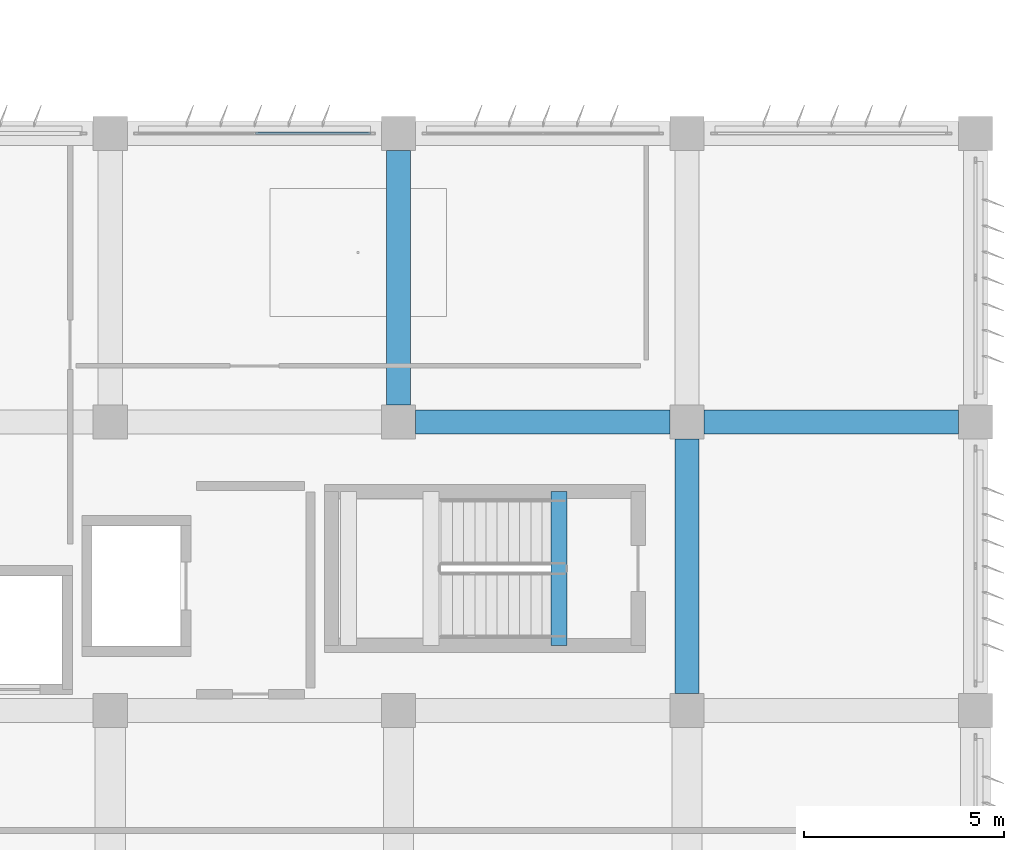
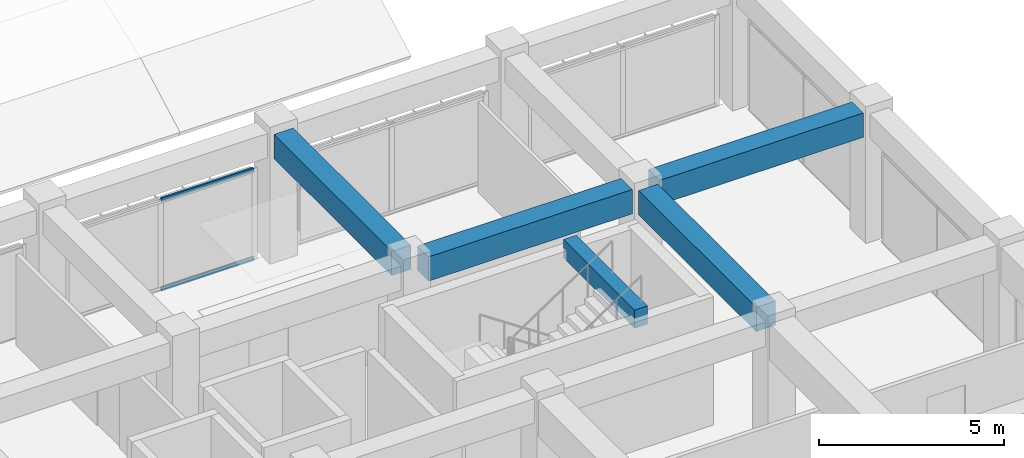
# One storey, part 24 of 56: 5 beams, 2 members, 1 element without a shape of its own.
"""IFC4 building model written with IfcOpenShell, lengths in metres."""

import ifcopenshell
import ifcopenshell.guid

model = None  # the IFC model being written
_history = None  # IfcOwnerHistory: only IFC2X3 demands one
_inside = {}  # id of a spatial element -> (the spatial element, [elements in it])
_under = {}  # id of a project, library or spatial element -> (it, [spatial elements below it])
_declared = {}  # id of a project -> (the project, [libraries it declares])
_typed = {}  # id of a type object -> (the type object, [elements of that type])
_made_of = {}  # id of a material, layer set ... -> (it, [elements and type objects made of it])


def new_model(schema):
    """Start an empty IFC model of exactly this schema.

    Asked for "IFC4X3", IfcOpenShell would pick the latest addendum, in which some entities
    have other attributes; the version numbers below select the first issue.
    IFC2X3 requires an IfcOwnerHistory on every rooted entity: one is made here for all.
    """
    global model, _history
    if schema == "IFC4X3":
        model = ifcopenshell.file(schema_version=(4, 3, 0, 0))
    else:
        model = ifcopenshell.file(schema=schema)
    _inside.clear()
    _under.clear()
    _declared.clear()
    _typed.clear()
    _made_of.clear()
    _history = None
    if model.schema == "IFC2X3":
        org = make("IfcOrganization", Name="unknown")
        user = make(
            "IfcPersonAndOrganization",
            ThePerson=make("IfcPerson", FamilyName="unknown"),
            TheOrganization=org,
        )
        app = make(
            "IfcApplication",
            ApplicationDeveloper=org,
            Version="unknown",
            ApplicationFullName="unknown",
            ApplicationIdentifier="unknown",
        )
        _history = make(
            "IfcOwnerHistory",
            OwningUser=user,
            OwningApplication=app,
            ChangeAction="ADDED",
            CreationDate=0,
        )
    return model


def make(cls, **values):
    """One entity of the class cls with the attributes given. An attribute that is None is left unset."""
    return model.create_entity(
        cls, **{name: value for name, value in values.items() if value is not None}
    )


def rooted(cls, **values):
    """An entity with a GlobalId (a new one), such as an element, a storey or a relation."""
    return make(cls, GlobalId=ifcopenshell.guid.new(), OwnerHistory=_history, **values)


def si_unit(unit_type, name, prefix=None):
    """IfcSIUnit, for example si_unit("LENGTHUNIT", "METRE", prefix="MILLI")."""
    return make("IfcSIUnit", UnitType=unit_type, Prefix=prefix, Name=name)


def assignment(units):
    """IfcUnitAssignment: the units of a project."""
    return None if units is None else make("IfcUnitAssignment", Units=units)


def point(xyz):
    """IfcCartesianPoint."""
    return None if xyz is None else make("IfcCartesianPoint", Coordinates=xyz)


def direction(xyz):
    """IfcDirection."""
    return None if xyz is None else make("IfcDirection", DirectionRatios=xyz)


def frame(location, z_axis=None, x_axis=None):
    """IfcAxis2Placement3D, a coordinate frame: its origin and axes. An axis left out is left unset."""
    return make(
        "IfcAxis2Placement3D",
        Location=point(location),
        Axis=direction(z_axis),
        RefDirection=direction(x_axis),
    )


def frame_2d(location, x_axis=None):
    """IfcAxis2Placement2D, a coordinate frame in the plane: its origin and x axis."""
    return make(
        "IfcAxis2Placement2D", Location=point(location), RefDirection=direction(x_axis)
    )


def origin():
    """The frame at (0, 0, 0) with its axes left unset."""
    return frame((0.0, 0.0, 0.0))


def origin_2d():
    """The frame at (0, 0) in the plane with its x axis left unset."""
    return frame_2d((0.0, 0.0))


def place(relative_to, where):
    """IfcLocalPlacement: puts the frame where relative to a parent placement (None: the world)."""
    return make(
        "IfcLocalPlacement", PlacementRelTo=relative_to, RelativePlacement=where
    )


def context(
    kind, dimensions, precision=None, world=None, true_north=None, identifier=None
):
    """IfcGeometricRepresentationContext, for example the 3D "Model" context."""
    return make(
        "IfcGeometricRepresentationContext",
        ContextIdentifier=identifier,
        ContextType=kind,
        CoordinateSpaceDimension=dimensions,
        Precision=precision,
        WorldCoordinateSystem=world,
        TrueNorth=true_north,
    )


def subcontext(parent, identifier, kind, view, scale=None):
    """IfcGeometricRepresentationSubContext, for example "Body" below "Model"."""
    return make(
        "IfcGeometricRepresentationSubContext",
        ContextIdentifier=identifier,
        ContextType=kind,
        ParentContext=parent,
        TargetScale=scale,
        TargetView=view,
    )


def project(units=None, contexts=None):
    """IfcProject with its units and contexts."""
    return rooted(
        "IfcProject",
        Name="project",
        RepresentationContexts=contexts,
        UnitsInContext=assignment(units),
    )


def spatial(cls, under=None, at=None, **own):
    """A site, building, storey or space (cls), placed at a placement, below another one or the project."""
    s = rooted(cls, ObjectPlacement=at, **own)
    if under is not None:
        _under.setdefault(under.id(), (under, []))[1].append(s)
    return s


def profile(cls, at=None, kind="AREA", **sizes):
    """A parametric profile (cls). Its sizes go by their IFC names, for example OverallWidth=200.0."""
    return make(cls, ProfileType=kind, Position=at, **sizes)


def rectangle(**sizes):
    """IfcRectangleProfileDef."""
    return profile("IfcRectangleProfileDef", **sizes)


def hollow_rectangle(**sizes):
    """IfcRectangleHollowProfileDef."""
    return profile("IfcRectangleHollowProfileDef", **sizes)


def extrude(swept, where, along, depth):
    """IfcExtrudedAreaSolid: the profile swept, set in the frame where, extruded along a direction by depth."""
    return make(
        "IfcExtrudedAreaSolid",
        SweptArea=swept,
        Position=where,
        ExtrudedDirection=direction(along),
        Depth=depth,
    )


def shape(context_of_items, identifier, shape_type, items):
    """IfcShapeRepresentation: the items that make up one representation, for example the "Body"."""
    return make(
        "IfcShapeRepresentation",
        ContextOfItems=context_of_items,
        RepresentationIdentifier=identifier,
        RepresentationType=shape_type,
        Items=items,
    )


def material(Name=None, Category=None):
    """IfcMaterial."""
    return make("IfcMaterial", Name=Name, Category=Category)


def material_profile(
    of_material, cross_section, Name=None, Category=None, Priority=None
):
    """IfcMaterialProfile: a cross section and its material."""
    return make(
        "IfcMaterialProfile",
        Name=Name,
        Material=of_material,
        Profile=cross_section,
        Priority=Priority,
        Category=Category,
    )


def profile_set(profiles, Name=None, composite=None):
    """IfcMaterialProfileSet."""
    return make(
        "IfcMaterialProfileSet",
        Name=Name,
        MaterialProfiles=profiles,
        CompositeProfile=composite,
    )


def made_of(thing, what):
    """Note that an element or type object is made of a material, layer set ...; save() writes the relation."""
    if what is not None:
        _made_of.setdefault(what.id(), (what, []))[1].append(thing)
    return thing


def type_object(cls, material=None, **own):
    """A type object (cls), such as IfcWallType, which elements share."""
    return made_of(rooted(cls, **own), material)


def element(
    cls,
    number,
    at=None,
    inside=None,
    cuts=None,
    type_object=None,
    material=None,
    context=None,
    identifier="Body",
    shape_type=None,
    held_by="IfcProductDefinitionShape",
    body=None,
    shapes=None,
    **own,
):
    """One element of the class cls, such as IfcWall. Its Tag is "e" and its number.

    at: its placement. inside: the storey or other place that contains it. cuts: it is an
    opening in that element (IfcRelVoidsElement). A single representation is given by context,
    identifier, shape_type and body (its items); several are given by shapes. held_by: the class
    of the entity that holds the representations. save() writes the other relations.
    """
    e = rooted(cls, Tag="e%d" % number, ObjectPlacement=at, **own)
    if body is not None:
        shapes = [shape(context, identifier, shape_type, body)]
    if shapes is not None:
        e.Representation = make(held_by, Representations=shapes)
    if inside is not None:
        _inside.setdefault(inside.id(), (inside, []))[1].append(e)
    if cuts is not None:
        rooted(
            "IfcRelVoidsElement", RelatingBuildingElement=cuts, RelatedOpeningElement=e
        )
    if type_object is not None:
        _typed.setdefault(type_object.id(), (type_object, []))[1].append(e)
    return made_of(e, material)


def aggregate(whole, parts):
    """IfcRelAggregates: a whole, such as a stair, and the parts it consists of."""
    return rooted("IfcRelAggregates", RelatingObject=whole, RelatedObjects=parts)


def save(model, path):
    """Write the relations noted so far, then the file.

    IfcRelAggregates (storeys below a building ...), IfcRelContainedInSpatialStructure (elements
    in a storey), IfcRelDefinesByType, IfcRelAssociatesMaterial and IfcRelDeclares: one each for
    every whole, place, type object, material and project.
    """
    for whole, parts in _under.values():
        aggregate(whole, parts)
    for where, things in _inside.values():
        rooted(
            "IfcRelContainedInSpatialStructure",
            RelatedElements=things,
            RelatingStructure=where,
        )
    for kind, things in _typed.values():
        rooted("IfcRelDefinesByType", RelatedObjects=things, RelatingType=kind)
    for what, things in _made_of.values():
        rooted("IfcRelAssociatesMaterial", RelatedObjects=things, RelatingMaterial=what)
    for by, libraries in _declared.values():
        rooted("IfcRelDeclares", RelatingContext=by, RelatedDefinitions=libraries)
    model.write(path)


model = new_model("IFC4")

# Units and contexts
model_context = context("Model", 3, precision=1e-05, world=origin(), true_north=direction((0.0, 1.0)))
body_context = subcontext(model_context, "Body", "Model", "MODEL_VIEW")
ifc_project = project(units=[si_unit("LENGTHUNIT", "METRE"), si_unit("AREAUNIT", "SQUARE_METRE"), si_unit("VOLUMEUNIT", "CUBIC_METRE"), si_unit("PLANEANGLEUNIT", "RADIAN"), si_unit("MASSUNIT", "GRAM", prefix="KILO")], contexts=[model_context])

# Site, building, storey
site_placement = place(None, origin())
site = spatial("IfcSite", under=ifc_project, at=site_placement, CompositionType="ELEMENT")
building_placement = place(site_placement, origin())
building = spatial("IfcBuilding", under=site, at=building_placement, Name="Kazehaya Institute of Natural Sciences", CompositionType="ELEMENT")
storey_placement = place(building_placement, frame((0.0, 0.0, 24.300048828125)))
storey = spatial("IfcBuildingStorey", under=building, at=storey_placement, Name="L05", CompositionType="ELEMENT", Elevation=24.300048828125)

# Beams
ifc_material_1 = material(Name="Concrete Fc36", Category="concrete")
ifc_material_profile_1 = material_profile(ifc_material_1, rectangle(XDim=0.39990234375, YDim=0.60009765625, at=origin_2d()), Name="RC-400x600")
ifc_profile_set_1 = profile_set([ifc_material_profile_1], Name="Concrete Fc36")
beam_type_1 = type_object("IfcBeamType", Name="BM-B-400x600", PredefinedType="BEAM", material=ifc_profile_set_1)
beam_1_placement = place(storey_placement, frame((109.0, 22.820068359375, 4.199951171875), z_axis=(0.0, 1.0, 0.0), x_axis=(-1.0, 0.0, 0.0)))
element("IfcBeam", 1, at=beam_1_placement, inside=storey, type_object=beam_type_1, Name="L06 ST-2 stair header trimmer beam", PredefinedType="BEAM", context=body_context, shape_type="SweptSolid", body=[
    extrude(rectangle(XDim=0.39990234375, YDim=0.60009765625, at=origin_2d()), origin(), (0.0, 0.0, 1.0), 3.83984375),
])
ifc_material_profile_2 = material_profile(ifc_material_1, rectangle(XDim=0.60009765625, YDim=0.800048828125, at=origin_2d()), Name="RC-600x800")
ifc_profile_set_2 = profile_set([ifc_material_profile_2], Name="Concrete Fc36")
beam_type_2 = type_object("IfcBeamType", Name="BM-G-600x800", PredefinedType="BEAM", material=ifc_profile_set_2)
beam_2_placement = place(storey_placement, frame((105.425048828125, 28.39990234375, 3.829833984375), z_axis=(1.0, 0.0, 0.0), x_axis=(0.0, 1.0, 0.0)))
element("IfcBeam", 2, at=beam_2_placement, inside=storey, type_object=beam_type_2, Name="L05 primary X girder BMX-L05-1050-284", PredefinedType="BEAM", context=body_context, shape_type="SweptSolid", body=[
    extrude(rectangle(XDim=0.60009765625, YDim=0.800048828125, at=origin_2d()), origin(), (0.0, 0.0, 1.0), 6.349853515625),
])
for number, where, z_axis, x_axis, name in (
    (3, (112.625, 28.39990234375, 3.829833984375), (1.0, 0.0, 0.0), (0.0, 1.0, 0.0), "L05 primary X girder BMX-L05-1122-284"),
    (4, (105.0, 28.824951171875, 3.829833984375), (0.0, 1.0, 0.0), (-1.0, 0.0, 0.0), "L05 primary Y girder BMY-L05-1050-284"),
    (5, (112.199951171875, 21.625, 3.829833984375), (0.0, 1.0, 0.0), (-1.0, 0.0, 0.0), "L05 primary Y girder BMY-L05-1122-212"),
):
    element("IfcBeam", number, at=place(storey_placement, frame(where, z_axis=z_axis, x_axis=x_axis)), inside=storey, type_object=beam_type_2, Name=name, PredefinedType="BEAM", context=body_context, shape_type="SweptSolid", body=[
        extrude(rectangle(XDim=0.60009765625, YDim=0.800048828125, at=origin_2d()), origin(), (0.0, 0.0, 1.0), 6.35009765625),
    ])

# Curtain wall, members
ifc_material_2 = material(Name="Aluminium alloy A6063S-T5", Category="aluminium")
curtain_wall_type = type_object("IfcCurtainWallType", Name="CW-SYS-04", PredefinedType="NOTDEFINED", material=ifc_material_2)
curtain_wall_placement = place(storey_placement, origin())
curtain_wall = element("IfcCurtainWall", 6, at=curtain_wall_placement, inside=storey, type_object=curtain_wall_type, Name="L05 unitised curtain wall CW-L05-109", PredefinedType="NOTDEFINED")
ifc_material_profile_3 = material_profile(ifc_material_2, hollow_rectangle(XDim=0.06005859375, YDim=0.1201171875, WallThickness=0.00341796875, at=origin_2d()), Name="ALU-60x120x3.5")
ifc_profile_set_3 = profile_set([ifc_material_profile_3], Name="Aluminium alloy A6063S-T5")
member_type = type_object("IfcMemberType", Name="CWT-120", PredefinedType="USERDEFINED", material=ifc_profile_set_3)
member_1_placement = place(storey_placement, frame((101.429931640625, 35.60009765625, 0.030029296875), z_axis=(1.0, 0.0, 0.0), x_axis=(0.0, 1.0, 0.0)))
member_1 = element("IfcMember", 7, at=member_1_placement, type_object=member_type, Name="CW04 transom 2.1", ObjectType="TRANSOM", PredefinedType="USERDEFINED", context=body_context, shape_type="SweptSolid", body=[
    extrude(hollow_rectangle(XDim=0.06005859375, YDim=0.1201171875, WallThickness=0.00341796875, at=origin_2d()), origin(), (0.0, 0.0, 1.0), 2.8701171875),
])
member_2_placement = place(storey_placement, frame((101.429931640625, 35.60009765625, 2.969970703125), z_axis=(1.0, 0.0, 0.0), x_axis=(0.0, 1.0, 0.0)))
member_2 = element("IfcMember", 8, at=member_2_placement, type_object=member_type, Name="CW04 transom 2.2", ObjectType="TRANSOM", PredefinedType="USERDEFINED", context=body_context, shape_type="SweptSolid", body=[
    extrude(hollow_rectangle(XDim=0.06005859375, YDim=0.1201171875, WallThickness=0.00341796875, at=origin_2d()), origin(), (0.0, 0.0, 1.0), 2.8701171875),
])
aggregate(curtain_wall, [member_1, member_2])

save(model, "model.ifc")
